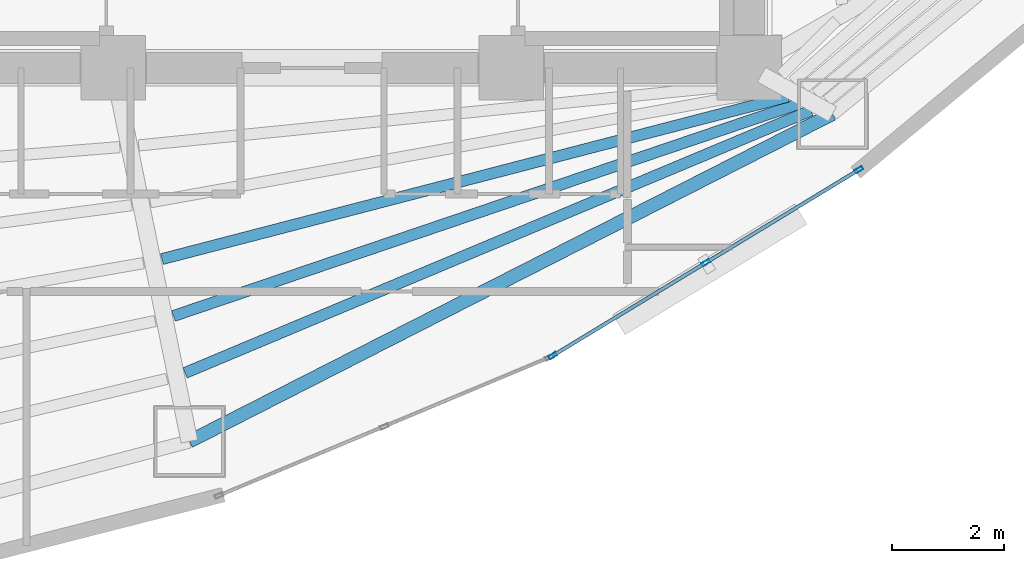
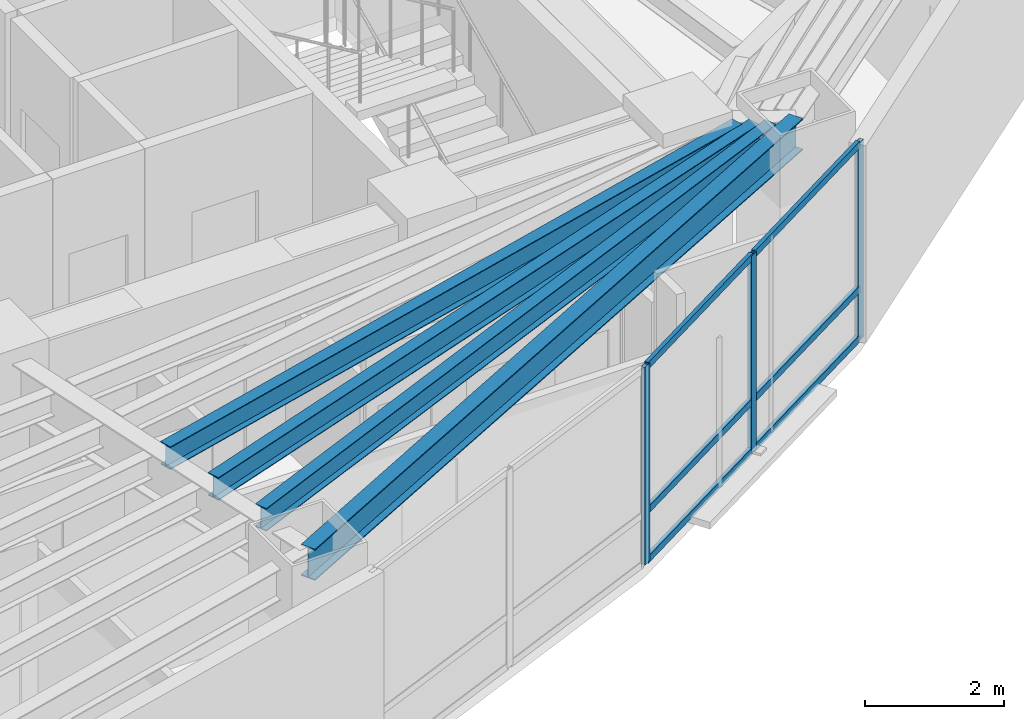
# One storey, part 5 of 18: 9 members, 4 beams, 1 element without a shape of its own.
"""IFC4 building model written with IfcOpenShell, lengths in metres."""

import ifcopenshell
import ifcopenshell.guid

model = None  # the IFC model being written
_history = None  # IfcOwnerHistory: only IFC2X3 demands one
_inside = {}  # id of a spatial element -> (the spatial element, [elements in it])
_under = {}  # id of a project, library or spatial element -> (it, [spatial elements below it])
_declared = {}  # id of a project -> (the project, [libraries it declares])
_typed = {}  # id of a type object -> (the type object, [elements of that type])
_made_of = {}  # id of a material, layer set ... -> (it, [elements and type objects made of it])


def new_model(schema):
    """Start an empty IFC model of exactly this schema.

    Asked for "IFC4X3", IfcOpenShell would pick the latest addendum, in which some entities
    have other attributes; the version numbers below select the first issue.
    IFC2X3 requires an IfcOwnerHistory on every rooted entity: one is made here for all.
    """
    global model, _history
    if schema == "IFC4X3":
        model = ifcopenshell.file(schema_version=(4, 3, 0, 0))
    else:
        model = ifcopenshell.file(schema=schema)
    _inside.clear()
    _under.clear()
    _declared.clear()
    _typed.clear()
    _made_of.clear()
    _history = None
    if model.schema == "IFC2X3":
        org = make("IfcOrganization", Name="unknown")
        user = make(
            "IfcPersonAndOrganization",
            ThePerson=make("IfcPerson", FamilyName="unknown"),
            TheOrganization=org,
        )
        app = make(
            "IfcApplication",
            ApplicationDeveloper=org,
            Version="unknown",
            ApplicationFullName="unknown",
            ApplicationIdentifier="unknown",
        )
        _history = make(
            "IfcOwnerHistory",
            OwningUser=user,
            OwningApplication=app,
            ChangeAction="ADDED",
            CreationDate=0,
        )
    return model


def make(cls, **values):
    """One entity of the class cls with the attributes given. An attribute that is None is left unset."""
    return model.create_entity(
        cls, **{name: value for name, value in values.items() if value is not None}
    )


def rooted(cls, **values):
    """An entity with a GlobalId (a new one), such as an element, a storey or a relation."""
    return make(cls, GlobalId=ifcopenshell.guid.new(), OwnerHistory=_history, **values)


def si_unit(unit_type, name, prefix=None):
    """IfcSIUnit, for example si_unit("LENGTHUNIT", "METRE", prefix="MILLI")."""
    return make("IfcSIUnit", UnitType=unit_type, Prefix=prefix, Name=name)


def assignment(units):
    """IfcUnitAssignment: the units of a project."""
    return None if units is None else make("IfcUnitAssignment", Units=units)


def point(xyz):
    """IfcCartesianPoint."""
    return None if xyz is None else make("IfcCartesianPoint", Coordinates=xyz)


def direction(xyz):
    """IfcDirection."""
    return None if xyz is None else make("IfcDirection", DirectionRatios=xyz)


def frame(location, z_axis=None, x_axis=None):
    """IfcAxis2Placement3D, a coordinate frame: its origin and axes. An axis left out is left unset."""
    return make(
        "IfcAxis2Placement3D",
        Location=point(location),
        Axis=direction(z_axis),
        RefDirection=direction(x_axis),
    )


def frame_2d(location, x_axis=None):
    """IfcAxis2Placement2D, a coordinate frame in the plane: its origin and x axis."""
    return make(
        "IfcAxis2Placement2D", Location=point(location), RefDirection=direction(x_axis)
    )


def origin():
    """The frame at (0, 0, 0) with its axes left unset."""
    return frame((0.0, 0.0, 0.0))


def origin_2d():
    """The frame at (0, 0) in the plane with its x axis left unset."""
    return frame_2d((0.0, 0.0))


def place(relative_to, where):
    """IfcLocalPlacement: puts the frame where relative to a parent placement (None: the world)."""
    return make(
        "IfcLocalPlacement", PlacementRelTo=relative_to, RelativePlacement=where
    )


def context(
    kind, dimensions, precision=None, world=None, true_north=None, identifier=None
):
    """IfcGeometricRepresentationContext, for example the 3D "Model" context."""
    return make(
        "IfcGeometricRepresentationContext",
        ContextIdentifier=identifier,
        ContextType=kind,
        CoordinateSpaceDimension=dimensions,
        Precision=precision,
        WorldCoordinateSystem=world,
        TrueNorth=true_north,
    )


def subcontext(parent, identifier, kind, view, scale=None):
    """IfcGeometricRepresentationSubContext, for example "Body" below "Model"."""
    return make(
        "IfcGeometricRepresentationSubContext",
        ContextIdentifier=identifier,
        ContextType=kind,
        ParentContext=parent,
        TargetScale=scale,
        TargetView=view,
    )


def project(units=None, contexts=None):
    """IfcProject with its units and contexts."""
    return rooted(
        "IfcProject",
        Name="project",
        RepresentationContexts=contexts,
        UnitsInContext=assignment(units),
    )


def spatial(cls, under=None, at=None, **own):
    """A site, building, storey or space (cls), placed at a placement, below another one or the project."""
    s = rooted(cls, ObjectPlacement=at, **own)
    if under is not None:
        _under.setdefault(under.id(), (under, []))[1].append(s)
    return s


def profile(cls, at=None, kind="AREA", **sizes):
    """A parametric profile (cls). Its sizes go by their IFC names, for example OverallWidth=200.0."""
    return make(cls, ProfileType=kind, Position=at, **sizes)


def hollow_rectangle(**sizes):
    """IfcRectangleHollowProfileDef."""
    return profile("IfcRectangleHollowProfileDef", **sizes)


def i_section(**sizes):
    """IfcIShapeProfileDef."""
    return profile("IfcIShapeProfileDef", **sizes)


def extrude(swept, where, along, depth):
    """IfcExtrudedAreaSolid: the profile swept, set in the frame where, extruded along a direction by depth."""
    return make(
        "IfcExtrudedAreaSolid",
        SweptArea=swept,
        Position=where,
        ExtrudedDirection=direction(along),
        Depth=depth,
    )


def shape(context_of_items, identifier, shape_type, items):
    """IfcShapeRepresentation: the items that make up one representation, for example the "Body"."""
    return make(
        "IfcShapeRepresentation",
        ContextOfItems=context_of_items,
        RepresentationIdentifier=identifier,
        RepresentationType=shape_type,
        Items=items,
    )


def material(Name=None, Category=None):
    """IfcMaterial."""
    return make("IfcMaterial", Name=Name, Category=Category)


def layer(
    of_material, thickness, ventilated=None, Name=None, Category=None, Priority=None
):
    """IfcMaterialLayer: one layer of a wall or slab, of a material (None: an air gap)."""
    return make(
        "IfcMaterialLayer",
        Material=of_material,
        LayerThickness=thickness,
        IsVentilated=ventilated,
        Name=Name,
        Category=Category,
        Priority=Priority,
    )


def layer_set(layers, Name=None):
    """IfcMaterialLayerSet."""
    return make("IfcMaterialLayerSet", MaterialLayers=layers, LayerSetName=Name)


def material_profile(
    of_material, cross_section, Name=None, Category=None, Priority=None
):
    """IfcMaterialProfile: a cross section and its material."""
    return make(
        "IfcMaterialProfile",
        Name=Name,
        Material=of_material,
        Profile=cross_section,
        Priority=Priority,
        Category=Category,
    )


def profile_set(profiles, Name=None, composite=None):
    """IfcMaterialProfileSet."""
    return make(
        "IfcMaterialProfileSet",
        Name=Name,
        MaterialProfiles=profiles,
        CompositeProfile=composite,
    )


def made_of(thing, what):
    """Note that an element or type object is made of a material, layer set ...; save() writes the relation."""
    if what is not None:
        _made_of.setdefault(what.id(), (what, []))[1].append(thing)
    return thing


def type_object(cls, material=None, **own):
    """A type object (cls), such as IfcWallType, which elements share."""
    return made_of(rooted(cls, **own), material)


def element(
    cls,
    number,
    at=None,
    inside=None,
    cuts=None,
    type_object=None,
    material=None,
    context=None,
    identifier="Body",
    shape_type=None,
    held_by="IfcProductDefinitionShape",
    body=None,
    shapes=None,
    **own,
):
    """One element of the class cls, such as IfcWall. Its Tag is "e" and its number.

    at: its placement. inside: the storey or other place that contains it. cuts: it is an
    opening in that element (IfcRelVoidsElement). A single representation is given by context,
    identifier, shape_type and body (its items); several are given by shapes. held_by: the class
    of the entity that holds the representations. save() writes the other relations.
    """
    e = rooted(cls, Tag="e%d" % number, ObjectPlacement=at, **own)
    if body is not None:
        shapes = [shape(context, identifier, shape_type, body)]
    if shapes is not None:
        e.Representation = make(held_by, Representations=shapes)
    if inside is not None:
        _inside.setdefault(inside.id(), (inside, []))[1].append(e)
    if cuts is not None:
        rooted(
            "IfcRelVoidsElement", RelatingBuildingElement=cuts, RelatedOpeningElement=e
        )
    if type_object is not None:
        _typed.setdefault(type_object.id(), (type_object, []))[1].append(e)
    return made_of(e, material)


def aggregate(whole, parts):
    """IfcRelAggregates: a whole, such as a stair, and the parts it consists of."""
    return rooted("IfcRelAggregates", RelatingObject=whole, RelatedObjects=parts)


def save(model, path):
    """Write the relations noted so far, then the file.

    IfcRelAggregates (storeys below a building ...), IfcRelContainedInSpatialStructure (elements
    in a storey), IfcRelDefinesByType, IfcRelAssociatesMaterial and IfcRelDeclares: one each for
    every whole, place, type object, material and project.
    """
    for whole, parts in _under.values():
        aggregate(whole, parts)
    for where, things in _inside.values():
        rooted(
            "IfcRelContainedInSpatialStructure",
            RelatedElements=things,
            RelatingStructure=where,
        )
    for kind, things in _typed.values():
        rooted("IfcRelDefinesByType", RelatedObjects=things, RelatingType=kind)
    for what, things in _made_of.values():
        rooted("IfcRelAssociatesMaterial", RelatedObjects=things, RelatingMaterial=what)
    for by, libraries in _declared.values():
        rooted("IfcRelDeclares", RelatingContext=by, RelatedDefinitions=libraries)
    model.write(path)


model = new_model("IFC4")

# Units and contexts
model_context = context("Model", 3, precision=1e-05, world=origin(), true_north=direction((0.0, 1.0)))
body_context = subcontext(model_context, "Body", "Model", "MODEL_VIEW")
ifc_project = project(units=[si_unit("LENGTHUNIT", "METRE"), si_unit("AREAUNIT", "SQUARE_METRE"), si_unit("VOLUMEUNIT", "CUBIC_METRE"), si_unit("PLANEANGLEUNIT", "RADIAN"), si_unit("MASSUNIT", "GRAM", prefix="KILO")], contexts=[model_context])

# Site, building, storey
site_placement = place(None, origin())
site = spatial("IfcSite", under=ifc_project, at=site_placement, CompositionType="ELEMENT")
building_placement = place(site_placement, origin())
building = spatial("IfcBuilding", under=site, at=building_placement, Name="Menara Vayukalpa", CompositionType="ELEMENT")
storey_placement = place(building_placement, frame((0.0, 0.0, 130.02001953125)))
storey = spatial("IfcBuildingStorey", under=building, at=storey_placement, Name="L32", CompositionType="ELEMENT", Elevation=130.02001953125)

# Beams
ifc_material_1 = material(Name="Steel S355", Category="steel")
ifc_material_profile_1 = material_profile(ifc_material_1, i_section(OverallWidth=0.199951171875, OverallDepth=0.39990234375, WebThickness=0.008056640625, FlangeThickness=0.012939453125, at=origin_2d()), Name="WF 400x200x8x13")
ifc_profile_set_1 = profile_set([ifc_material_profile_1], Name="Steel S355")
beam_type_1 = type_object("IfcBeamType", Name="BM-SJ2", PredefinedType="JOIST", material=ifc_profile_set_1)
beam_1_placement = place(storey_placement, frame((22.918701171875, 13.78662109375, 3.27001953125), z_axis=(0.967921665574, 0.251252162802, 0.0), x_axis=(-0.251252162802, 0.967921665574, 0.0)))
element("IfcBeam", 1, at=beam_1_placement, inside=storey, type_object=beam_type_1, Name="L32 Secondary Floor Joist SJ08-3", PredefinedType="JOIST", context=body_context, shape_type="SweptSolid", body=[
    extrude(i_section(OverallWidth=0.199951171875, OverallDepth=0.39990234375, WebThickness=0.008056640625, FlangeThickness=0.012939453125, at=origin_2d()), origin(), (0.0, 0.0, 1.0), 11.539794921875),
])
beam_2_placement = place(storey_placement, frame((23.12451171875, 12.77099609375, 3.27001953125), z_axis=(0.94694934653, 0.321382848183, 0.0), x_axis=(-0.321382848183, 0.94694934653, 0.0)))
element("IfcBeam", 2, at=beam_2_placement, inside=storey, type_object=beam_type_1, Name="L32 Secondary Floor Joist SJ08-4", PredefinedType="JOIST", context=body_context, shape_type="SweptSolid", body=[
    extrude(i_section(OverallWidth=0.199951171875, OverallDepth=0.39990234375, WebThickness=0.008056640625, FlangeThickness=0.012939453125, at=origin_2d()), origin(), (0.0, 0.0, 1.0), 11.7958984375),
])
beam_3_placement = place(storey_placement, frame((23.32958984375, 11.75439453125, 3.27001953125), z_axis=(0.922216637658, 0.386673600375, 0.0), x_axis=(-0.386673600375, 0.922216637658, 0.0)))
element("IfcBeam", 3, at=beam_3_placement, inside=storey, type_object=beam_type_1, Name="L32 Secondary Floor Joist SJ08-5", PredefinedType="JOIST", context=body_context, shape_type="SweptSolid", body=[
    extrude(i_section(OverallWidth=0.199951171875, OverallDepth=0.39990234375, WebThickness=0.008056640625, FlangeThickness=0.012939453125, at=origin_2d()), origin(), (0.0, 0.0, 1.0), 12.114501953125),
])
ifc_material_2 = material(Name="Steel S355", Category="steel")
ifc_material_profile_2 = material_profile(ifc_material_2, i_section(OverallWidth=0.239990234375, OverallDepth=0.550048828125, WebThickness=0.010986328125, FlangeThickness=0.01904296875, at=origin_2d()), Name="WF 550x240x11x19")
ifc_profile_set_2 = profile_set([ifc_material_profile_2], Name="Steel S355")
beam_type_2 = type_object("IfcBeamType", Name="BM-SP2", PredefinedType="SPANDREL", material=ifc_profile_set_2)
beam_4_placement = place(storey_placement, frame((23.408203125, 10.53271484375, 3.195068359375), z_axis=(0.891097345221, 0.453812209333, 0.0), x_axis=(-0.453812209333, 0.891097345221, 0.0)))
element("IfcBeam", 4, at=beam_4_placement, inside=storey, type_object=beam_type_2, Name="L32 Perimeter Spandrel Beam SP08", PredefinedType="SPANDREL", context=body_context, shape_type="SweptSolid", body=[
    extrude(i_section(OverallWidth=0.239990234375, OverallDepth=0.550048828125, WebThickness=0.010986328125, FlangeThickness=0.01904296875, at=origin_2d()), origin(), (0.0, 0.0, 1.0), 12.88134765625),
])

# Curtain wall, members
ifc_material_3 = material(Name="Anodised Terracotta Aluminium Alloy 6063-T6", Category="masonry")
ifc_layer = layer(ifc_material_3, 0.14990234375)
ifc_layer_set = layer_set([ifc_layer], Name="Anodised Terracotta Aluminium Alloy 6063-T6")
curtain_wall_type = type_object("IfcCurtainWallType", Name="CW-CW3", PredefinedType="USERDEFINED", material=ifc_layer_set)
curtain_wall_placement = place(storey_placement, origin())
curtain_wall = element("IfcCurtainWall", 5, at=curtain_wall_placement, inside=storey, type_object=curtain_wall_type, Name="L32 Mid Rise Terracotta Ribbon Curtain Wall CW3 17", ObjectType="UNITISED", PredefinedType="USERDEFINED")
ifc_material_4 = material(Name="Anodised Terracotta Aluminium Alloy 6063-T6", Category="masonry")
ifc_material_profile_3 = material_profile(ifc_material_4, hollow_rectangle(XDim=0.06494140625, YDim=0.14990234375, WallThickness=0.00341796875, at=origin_2d()), Name="ALU 65x150x3.5")
ifc_profile_set_3 = profile_set([ifc_material_profile_3], Name="Anodised Terracotta Aluminium Alloy 6063-T6")
member_type_1 = type_object("IfcMemberType", Name="CWM-CW3", PredefinedType="MULLION", material=ifc_profile_set_3)
member_1_placement = place(storey_placement, frame((29.8935546875, 12.061767578125, 0.0), z_axis=(0.0, 0.0, 1.0), x_axis=(-0.519182959112, 0.854663123674, 0.0)))
member_1 = element("IfcMember", 6, at=member_1_placement, type_object=member_type_1, Name="CW3 mullion 1", PredefinedType="MULLION", context=body_context, shape_type="SweptSolid", body=[
    extrude(hollow_rectangle(XDim=0.06494140625, YDim=0.14990234375, WallThickness=0.00341796875, at=origin_2d()), origin(), (0.0, 0.0, 1.0), 3.469970703125),
])
member_2_placement = place(storey_placement, frame((32.6259765625, 13.721435546875, 0.0), z_axis=(0.0, 0.0, 1.0), x_axis=(-0.519182959112, 0.854663123674, 0.0)))
member_2 = element("IfcMember", 7, at=member_2_placement, type_object=member_type_1, Name="CW3 mullion 2", PredefinedType="MULLION", context=body_context, shape_type="SweptSolid", body=[
    extrude(hollow_rectangle(XDim=0.06494140625, YDim=0.14990234375, WallThickness=0.00341796875, at=origin_2d()), origin(), (0.0, 0.0, 1.0), 3.469970703125),
])
member_3_placement = place(storey_placement, frame((35.358154296875, 15.38134765625, 0.0), z_axis=(0.0, 0.0, 1.0), x_axis=(-0.519182959112, 0.854663123674, 0.0)))
member_3 = element("IfcMember", 8, at=member_3_placement, type_object=member_type_1, Name="CW3 mullion 3", PredefinedType="MULLION", context=body_context, shape_type="SweptSolid", body=[
    extrude(hollow_rectangle(XDim=0.06494140625, YDim=0.14990234375, WallThickness=0.00341796875, at=origin_2d()), origin(), (0.0, 0.0, 1.0), 3.469970703125),
])
ifc_material_5 = material(Name="Anodised Terracotta Aluminium Alloy 6063-T6", Category="masonry")
ifc_material_profile_4 = material_profile(ifc_material_5, hollow_rectangle(XDim=0.06494140625, YDim=0.1201171875, WallThickness=0.00341796875, at=origin_2d()), Name="ALU 65x120x3.5")
ifc_profile_set_4 = profile_set([ifc_material_profile_4], Name="Anodised Terracotta Aluminium Alloy 6063-T6")
member_type_2 = type_object("IfcMemberType", Name="CWT-CW3", PredefinedType="USERDEFINED", material=ifc_profile_set_4)
member_4_placement = place(storey_placement, frame((29.92138671875, 12.07861328125, 0.032470703125), z_axis=(0.854673871166, 0.519165266506, 0.0), x_axis=(-0.519165266506, 0.854673871166, 0.0)))
member_4 = element("IfcMember", 9, at=member_4_placement, type_object=member_type_2, Name="CW3 transom 1.1", ObjectType="TRANSOM", PredefinedType="USERDEFINED", context=body_context, shape_type="SweptSolid", body=[
    extrude(hollow_rectangle(XDim=0.06494140625, YDim=0.1201171875, WallThickness=0.00341796875, at=origin_2d()), origin(), (0.0, 0.0, 1.0), 3.1318359375),
])
member_5_placement = place(storey_placement, frame((29.92138671875, 12.07861328125, 0.89990234375), z_axis=(0.854673871166, 0.519165266506, 0.0), x_axis=(-0.519165266506, 0.854673871166, 0.0)))
member_5 = element("IfcMember", 10, at=member_5_placement, type_object=member_type_2, Name="CW3 transom 1.2", ObjectType="TRANSOM", PredefinedType="USERDEFINED", context=body_context, shape_type="SweptSolid", body=[
    extrude(hollow_rectangle(XDim=0.06494140625, YDim=0.1201171875, WallThickness=0.00341796875, at=origin_2d()), origin(), (0.0, 0.0, 1.0), 3.1318359375),
])
member_6_placement = place(storey_placement, frame((29.92138671875, 12.07861328125, 3.4375), z_axis=(0.854673871166, 0.519165266506, 0.0), x_axis=(-0.519165266506, 0.854673871166, 0.0)))
member_6 = element("IfcMember", 11, at=member_6_placement, type_object=member_type_2, Name="CW3 transom 1.3", ObjectType="TRANSOM", PredefinedType="USERDEFINED", context=body_context, shape_type="SweptSolid", body=[
    extrude(hollow_rectangle(XDim=0.06494140625, YDim=0.1201171875, WallThickness=0.00341796875, at=origin_2d()), origin(), (0.0, 0.0, 1.0), 3.1318359375),
])
member_7_placement = place(storey_placement, frame((32.65380859375, 13.73828125, 0.032470703125), z_axis=(0.854673871166, 0.519165266506, 0.0), x_axis=(-0.519165266506, 0.854673871166, 0.0)))
member_7 = element("IfcMember", 12, at=member_7_placement, type_object=member_type_2, Name="CW3 transom 2.1", ObjectType="TRANSOM", PredefinedType="USERDEFINED", context=body_context, shape_type="SweptSolid", body=[
    extrude(hollow_rectangle(XDim=0.06494140625, YDim=0.1201171875, WallThickness=0.00341796875, at=origin_2d()), origin(), (0.0, 0.0, 1.0), 3.1318359375),
])
member_8_placement = place(storey_placement, frame((32.65380859375, 13.73828125, 0.89990234375), z_axis=(0.854673871166, 0.519165266506, 0.0), x_axis=(-0.519165266506, 0.854673871166, 0.0)))
member_8 = element("IfcMember", 13, at=member_8_placement, type_object=member_type_2, Name="CW3 transom 2.2", ObjectType="TRANSOM", PredefinedType="USERDEFINED", context=body_context, shape_type="SweptSolid", body=[
    extrude(hollow_rectangle(XDim=0.06494140625, YDim=0.1201171875, WallThickness=0.00341796875, at=origin_2d()), origin(), (0.0, 0.0, 1.0), 3.1318359375),
])
member_9_placement = place(storey_placement, frame((32.65380859375, 13.73828125, 3.4375), z_axis=(0.854673871166, 0.519165266506, 0.0), x_axis=(-0.519165266506, 0.854673871166, 0.0)))
member_9 = element("IfcMember", 14, at=member_9_placement, type_object=member_type_2, Name="CW3 transom 2.3", ObjectType="TRANSOM", PredefinedType="USERDEFINED", context=body_context, shape_type="SweptSolid", body=[
    extrude(hollow_rectangle(XDim=0.06494140625, YDim=0.1201171875, WallThickness=0.00341796875, at=origin_2d()), origin(), (0.0, 0.0, 1.0), 3.1318359375),
])
aggregate(curtain_wall, [member_1, member_2, member_3, member_4, member_5, member_6, member_7, member_8, member_9])

save(model, "model.ifc")
